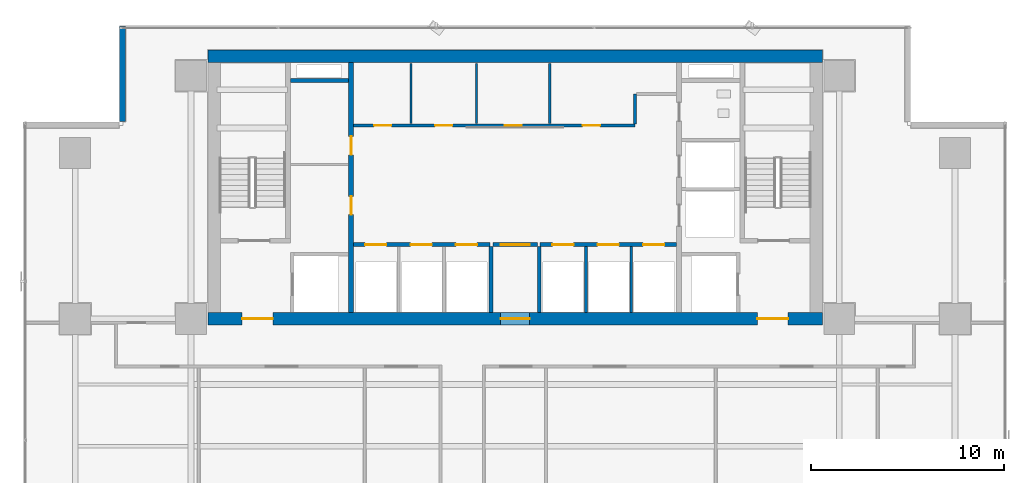
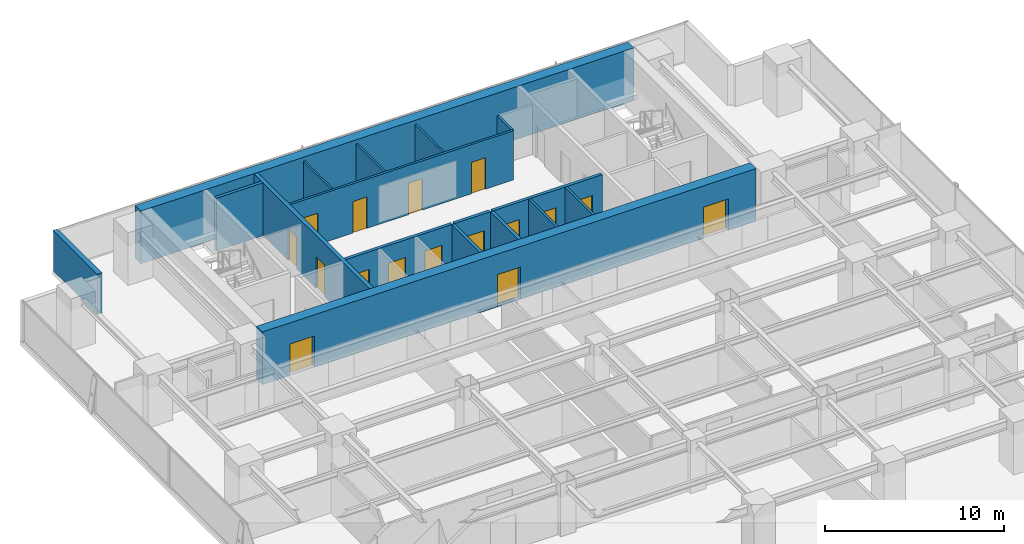
# One storey, part 29 of 36: 17 walls, 16 doors, 16 openings.
"""IFC4 building model written with IfcOpenShell, lengths in metres."""

from ifc_helpers import new_model, si_unit, direction, frame, frame_2d, origin, place, context, subcontext, project, spatial, rectangle, extrude, source, transform, mapped, material, layer, layer_set, type_object, element, fill, save


model = new_model("IFC4")

# Units and contexts
model_context = context("Model", 3, precision=1e-05, world=origin(), true_north=direction((0.0, 1.0)))
body_context = subcontext(model_context, "Body", "Model", "MODEL_VIEW")
ifc_project = project(units=[si_unit("LENGTHUNIT", "METRE"), si_unit("AREAUNIT", "SQUARE_METRE"), si_unit("VOLUMEUNIT", "CUBIC_METRE"), si_unit("PLANEANGLEUNIT", "RADIAN"), si_unit("MASSUNIT", "GRAM", prefix="KILO")], contexts=[model_context])

# Site, building, storey
site_placement = place(None, origin())
site = spatial("IfcSite", under=ifc_project, at=site_placement, CompositionType="ELEMENT")
building_placement = place(site_placement, origin())
building = spatial("IfcBuilding", under=site, at=building_placement, Name="Sumidabori Civic Tower", CompositionType="ELEMENT")
storey_placement = place(building_placement, frame((0.0, 0.0, 77.60009765625)))
storey = spatial("IfcBuildingStorey", under=building, at=storey_placement, Name="L19", CompositionType="ELEMENT", Elevation=77.60009765625)

# Walls
ifc_material_1 = material(Name="Concrete C50/60", Category="concrete")
ifc_layer_1 = layer(ifc_material_1, 0.199951171875, Name="Concrete C50/60")
ifc_layer_set_1 = layer_set([ifc_layer_1], Name="Concrete C50/60")
wall_type_1 = type_object("IfcWallType", Name="WL-SHAFT-200", PredefinedType="SHEAR", material=ifc_layer_set_1)
shared_shape_1 = source(origin(), body_context, "Body", "SweptSolid", [
    extrude(rectangle(XDim=3.02001953125, YDim=0.199951171875, at=frame_2d((1.510009765625, 0.0))), origin(), (0.0, 0.0, 1.0), 3.599853515625),
])
wall_1_placement = place(storey_placement, frame((-11.64501953125, 22.550048828125, 0.0), z_axis=(0.0, 0.0, 1.0), x_axis=(1.0, 0.0, 0.0)))
element("IfcWall", 1, at=wall_1_placement, inside=storey, type_object=wall_type_1, Name="Core Shear Wall L19 RIS1-S", PredefinedType="SHEAR", context=body_context, shape_type="MappedRepresentation", body=[
    mapped(shared_shape_1, transform((0.0, 0.0, 0.0), x_axis=(1.0, 0.0, 0.0), y_axis=(0.0, 1.0, 0.0), z_axis=(0.0, 0.0, 1.0), scale=1.0)),
])
ifc_material_2 = material(Name="Concrete C60/75", Category="concrete")
ifc_layer_2 = layer(ifc_material_2, 0.64990234375, Name="Concrete C60/75")
ifc_layer_set_2 = layer_set([ifc_layer_2], Name="Concrete C60/75")
wall_type_2 = type_object("IfcWallType", Name="WL-CORE-650", PredefinedType="SHEAR", material=ifc_layer_set_2)
shared_shape_2 = source(origin(), body_context, "Body", "SweptSolid", [
    extrude(rectangle(XDim=31.85009765625, YDim=0.64990234375, at=frame_2d((15.925048828125, 0.0))), origin(), (0.0, 0.0, 1.0), 3.599853515625),
])
wall_2_placement = place(storey_placement, frame((-15.925048828125, 23.800048828125, 0.0), z_axis=(0.0, 0.0, 1.0), x_axis=(1.0, 0.0, 0.0)))
element("IfcWall", 2, at=wall_2_placement, inside=storey, type_object=wall_type_2, Name="Core Shear Wall L19 N", PredefinedType="SHEAR", context=body_context, shape_type="MappedRepresentation", body=[
    mapped(shared_shape_2, transform((0.0, 0.0, 0.0), x_axis=(1.0, 0.0, 0.0), y_axis=(0.0, 1.0, 0.0), z_axis=(0.0, 0.0, 1.0), scale=1.0)),
])

# Wall, openings, doors
wall_3_placement = place(storey_placement, frame((-15.925048828125, 10.199951171875, 0.0), z_axis=(0.0, 0.0, 1.0), x_axis=(1.0, 0.0, 0.0)))
wall_3 = element("IfcWall", 3, at=wall_3_placement, inside=storey, type_object=wall_type_2, Name="Core Shear Wall L19 S", PredefinedType="SHEAR", context=body_context, shape_type="MappedRepresentation", body=[
    mapped(shared_shape_2, transform((0.0, 0.0, 0.0), x_axis=(1.0, 0.0, 0.0), y_axis=(0.0, 1.0, 0.0), z_axis=(0.0, 0.0, 1.0), scale=1.0)),
])
opening_1_placement = place(wall_3_placement, frame((1.77490234375, 0.0, 0.0)))
opening_1 = element("IfcOpeningElement", 4, at=opening_1_placement, cuts=wall_3, Name="Opening DR-FD4", PredefinedType="OPENING", context=body_context, shape_type="SweptSolid", body=[
    extrude(rectangle(XDim=1.60009765625, YDim=2.14990234375, at=frame_2d((0.800048828125, 1.074951171875))), frame((0.0, 0.3369140625, 0.0), z_axis=(0.0, -1.0, 0.0), x_axis=(1.0, 0.0, 0.0)), (0.0, 0.0, 1.0), 0.673828125),
])
opening_2_placement = place(wall_3_placement, frame((28.47509765625, 0.0, 0.0)))
opening_2 = element("IfcOpeningElement", 5, at=opening_2_placement, cuts=wall_3, Name="Opening DR-FD4", PredefinedType="OPENING", context=body_context, shape_type="SweptSolid", body=[
    extrude(rectangle(XDim=1.60009765625, YDim=2.14990234375, at=frame_2d((0.800048828125, 1.074951171875))), frame((0.0, 0.3369140625, 0.0), z_axis=(0.0, -1.0, 0.0), x_axis=(1.0, 0.0, 0.0)), (0.0, 0.0, 1.0), 0.673828125),
])
opening_3_placement = place(wall_3_placement, frame((15.175048828125, 0.0, 0.0)))
opening_3 = element("IfcOpeningElement", 6, at=opening_3_placement, cuts=wall_3, Name="Opening DR-FD3", PredefinedType="OPENING", context=body_context, shape_type="SweptSolid", body=[
    extrude(rectangle(XDim=1.5, YDim=2.199951171875, at=frame_2d((0.75, 1.10009765625))), frame((0.0, 0.3369140625, 0.0), z_axis=(0.0, -1.0, 0.0), x_axis=(1.0, 0.0, 0.0)), (0.0, 0.0, 1.0), 0.673828125),
])
ifc_material_3 = material(Name="Steel SN490", Category="steel")
door_type_1 = type_object("IfcDoorType", Name="DR-FD4", OperationType="DOUBLE_DOOR_SINGLE_SWING", PredefinedType="DOOR", material=ifc_material_3)
shared_shape_3 = source(origin(), body_context, "Body", "SweptSolid", [
    extrude(rectangle(XDim=1.60009765625, YDim=2.14990234375, at=frame_2d((0.800048828125, 1.074951171875))), frame((0.0, 0.02490234375, 0.0), z_axis=(0.0, -1.0, 0.0), x_axis=(1.0, 0.0, 0.0)), (0.0, 0.0, 1.0), 0.050048828125),
])
door_1_placement = place(opening_1_placement, origin())
door_1 = element("IfcDoor", 7, at=door_1_placement, inside=storey, type_object=door_type_1, Name="Door DR:L19:ELOB-W", OperationType="DOUBLE_DOOR_SINGLE_SWING", OverallHeight=2.14990234375, OverallWidth=1.60009765625, PredefinedType="DOOR", context=body_context, shape_type="MappedRepresentation", body=[
    mapped(shared_shape_3, transform((0.0, 0.0, 0.0), x_axis=(1.0, 0.0, 0.0), y_axis=(0.0, 1.0, 0.0), z_axis=(0.0, 0.0, 1.0), scale=1.0)),
])
fill(opening_1, door_1)
door_2_placement = place(opening_2_placement, origin())
door_2 = element("IfcDoor", 8, at=door_2_placement, inside=storey, type_object=door_type_1, Name="Door DR:L19:ELOB-E", OperationType="DOUBLE_DOOR_SINGLE_SWING", OverallHeight=2.14990234375, OverallWidth=1.60009765625, PredefinedType="DOOR", context=body_context, shape_type="MappedRepresentation", body=[
    mapped(shared_shape_3, transform((0.0, 0.0, 0.0), x_axis=(1.0, 0.0, 0.0), y_axis=(0.0, 1.0, 0.0), z_axis=(0.0, 0.0, 1.0), scale=1.0)),
])
fill(opening_2, door_2)
door_type_2 = type_object("IfcDoorType", Name="DR-FD-DBL", OperationType="DOUBLE_DOOR_SINGLE_SWING", PredefinedType="DOOR", material=ifc_material_3)
shared_shape_4 = source(origin(), body_context, "Body", "SweptSolid", [
    extrude(rectangle(XDim=1.5, YDim=2.199951171875, at=frame_2d((0.75, 1.10009765625))), frame((0.0, 0.02490234375, 0.0), z_axis=(0.0, -1.0, 0.0), x_axis=(1.0, 0.0, 0.0)), (0.0, 0.0, 1.0), 0.050048828125),
])
door_3_placement = place(opening_3_placement, origin())
door_3 = element("IfcDoor", 9, at=door_3_placement, inside=storey, type_object=door_type_2, Name="Door DR:L19:THROAT-OUT", OperationType="DOUBLE_DOOR_SINGLE_SWING", OverallHeight=2.199951171875, OverallWidth=1.5, PredefinedType="DOOR", context=body_context, shape_type="MappedRepresentation", body=[
    mapped(shared_shape_4, transform((0.0, 0.0, 0.0), x_axis=(1.0, 0.0, 0.0), y_axis=(0.0, 1.0, 0.0), z_axis=(0.0, 0.0, 1.0), scale=1.0)),
])
fill(opening_3, door_3)

ifc_layer_3 = layer(ifc_material_1, 0.25, Name="Concrete C50/60")
ifc_layer_set_3 = layer_set([ifc_layer_3], Name="Concrete C50/60")
wall_type_3 = type_object("IfcWallType", Name="WL-SHAFT-250", PredefinedType="SHEAR", material=ifc_layer_set_3)
shared_shape_5 = source(origin(), body_context, "Body", "SweptSolid", [
    extrude(rectangle(XDim=12.9501953125, YDim=0.25, at=frame_2d((6.47509765625, 0.0))), origin(), (0.0, 0.0, 1.0), 3.599853515625),
])
wall_4_placement = place(storey_placement, frame((-8.5, 10.52490234375, 0.0), z_axis=(0.0, 0.0, 1.0), x_axis=(0.0, 1.0, 0.0)))
wall_4 = element("IfcWall", 10, at=wall_4_placement, inside=storey, type_object=wall_type_3, Name="Core Shear Wall L19 WEB-W", PredefinedType="SHEAR", context=body_context, shape_type="MappedRepresentation", body=[
    mapped(shared_shape_5, transform((0.0, 0.0, 0.0), x_axis=(1.0, 0.0, 0.0), y_axis=(0.0, 1.0, 0.0), z_axis=(0.0, 0.0, 1.0), scale=1.0)),
])
opening_4_placement = place(wall_4_placement, frame((5.074951171875, 0.0, 0.0)))
opening_4 = element("IfcOpeningElement", 11, at=opening_4_placement, cuts=wall_4, Name="Opening DR-FD2", PredefinedType="OPENING", context=body_context, shape_type="SweptSolid", body=[
    extrude(rectangle(XDim=0.949951171875, YDim=2.14990234375, at=frame_2d((0.47509765625, 1.074951171875))), frame((0.0, 0.136962890625, 0.0), z_axis=(0.0, -1.0, 0.0), x_axis=(1.0, 0.0, 0.0)), (0.0, 0.0, 1.0), 0.27392578125),
])
opening_5_placement = place(wall_4_placement, frame((8.175048828125, 0.0, 0.0)))
opening_5 = element("IfcOpeningElement", 12, at=opening_5_placement, cuts=wall_4, Name="Opening DR-FD2", PredefinedType="OPENING", context=body_context, shape_type="SweptSolid", body=[
    extrude(rectangle(XDim=0.949951171875, YDim=2.14990234375, at=frame_2d((0.47509765625, 1.074951171875))), frame((0.0, 0.136962890625, 0.0), z_axis=(0.0, -1.0, 0.0), x_axis=(1.0, 0.0, 0.0)), (0.0, 0.0, 1.0), 0.27392578125),
])
door_type_3 = type_object("IfcDoorType", Name="DR-FD2", OperationType="NOTDEFINED", PredefinedType="DOOR", material=ifc_material_3)
shared_shape_6 = source(origin(), body_context, "Body", "SweptSolid", [
    extrude(rectangle(XDim=0.949951171875, YDim=2.14990234375, at=frame_2d((0.47509765625, 1.074951171875))), frame((0.0, 0.02490234375, 0.0), z_axis=(0.0, -1.0, 0.0), x_axis=(1.0, 0.0, 0.0)), (0.0, 0.0, 1.0), 0.050048828125),
])
door_4_placement = place(opening_4_placement, origin())
door_4 = element("IfcDoor", 13, at=door_4_placement, inside=storey, type_object=door_type_3, Name="Door DR:L19:CW-S1", OperationType="SINGLE_SWING_LEFT", OverallHeight=2.14990234375, OverallWidth=0.949951171875, PredefinedType="DOOR", context=body_context, shape_type="MappedRepresentation", body=[
    mapped(shared_shape_6, transform((0.0, 0.0, 0.0), x_axis=(1.0, 0.0, 0.0), y_axis=(0.0, 1.0, 0.0), z_axis=(0.0, 0.0, 1.0), scale=1.0)),
])
fill(opening_4, door_4)
door_5_placement = place(opening_5_placement, origin())
door_5 = element("IfcDoor", 14, at=door_5_placement, inside=storey, type_object=door_type_3, Name="Door DR:L19:CW-S2", OperationType="SINGLE_SWING_RIGHT", OverallHeight=2.14990234375, OverallWidth=0.949951171875, PredefinedType="DOOR", context=body_context, shape_type="MappedRepresentation", body=[
    mapped(shared_shape_6, transform((0.0, 0.0, 0.0), x_axis=(1.0, 0.0, 0.0), y_axis=(0.0, 1.0, 0.0), z_axis=(0.0, 0.0, 1.0), scale=1.0)),
])
fill(opening_5, door_5)

# Wall
ifc_material_4 = material(Name="Precast concrete C40/50", Category="concrete")
ifc_layer_4 = layer(ifc_material_4, 0.300048828125, Name="Precast concrete C40/50")
ifc_layer_set_4 = layer_set([ifc_layer_4], Name="Precast concrete C40/50")
wall_type_4 = type_object("IfcWallType", Name="WL-EXT-POD300", PredefinedType="STANDARD", material=ifc_layer_set_4)
shared_shape_7 = source(origin(), body_context, "Body", "SweptSolid", [
    extrude(rectangle(XDim=4.9599609375, YDim=0.300048828125, at=frame_2d((2.47998046875, 0.0))), origin(), (0.0, 0.0, 1.0), 2.739990234375),
])
wall_5_placement = place(storey_placement, frame((-20.35009765625, 25.3798828125, 0.0), z_axis=(0.0, 0.0, 1.0), x_axis=(0.0, -1.0, 0.0)))
element("IfcWall", 15, at=wall_5_placement, inside=storey, type_object=wall_type_4, Name="Notched Corner Spandrel Band L19-08", PredefinedType="STANDARD", context=body_context, shape_type="MappedRepresentation", body=[
    mapped(shared_shape_7, transform((0.0, 0.0, 0.0), x_axis=(1.0, 0.0, 0.0), y_axis=(0.0, 1.0, 0.0), z_axis=(0.0, 0.0, 1.0), scale=1.0)),
])

# Wall, openings, doors
ifc_material_5 = material(Name="Gypsum Plasterboard Fire Partition")
ifc_layer_5 = layer(ifc_material_5, 0.199951171875, Name="Gypsum Plasterboard Fire Partition")
ifc_layer_set_5 = layer_set([ifc_layer_5], Name="Gypsum Plasterboard Fire Partition")
wall_type_5 = type_object("IfcWallType", Name="WL-PART-FIRE", PredefinedType="PARTITIONING", material=ifc_layer_set_5)
shared_shape_8 = source(origin(), body_context, "Body", "SweptSolid", [
    extrude(rectangle(XDim=7.070068359375, YDim=0.199951171875, at=frame_2d((3.53515625, 0.0))), origin(), (0.0, 0.0, 1.0), 3.35986328125),
])
wall_6_placement = place(storey_placement, frame((-8.3701171875, 14.050048828125, 0.0), z_axis=(0.0, 0.0, 1.0), x_axis=(1.0, 0.0, 0.0)))
wall_6 = element("IfcWall", 16, at=wall_6_placement, inside=storey, type_object=wall_type_5, Name="Interior Partition WL:L19:CBAND-SW", PredefinedType="PARTITIONING", context=body_context, shape_type="MappedRepresentation", body=[
    mapped(shared_shape_8, transform((0.0, 0.0, 0.0), x_axis=(1.0, 0.0, 0.0), y_axis=(0.0, 1.0, 0.0), z_axis=(0.0, 0.0, 1.0), scale=1.0)),
])
opening_6_placement = place(wall_6_placement, frame((0.60009765625, 0.0, 0.0)))
opening_6 = element("IfcOpeningElement", 17, at=opening_6_placement, cuts=wall_6, Name="Opening LD-1", PredefinedType="OPENING", context=body_context, shape_type="SweptSolid", body=[
    extrude(rectangle(XDim=1.10009765625, YDim=2.14990234375, at=frame_2d((0.550048828125, 1.074951171875))), frame((0.0, 0.11181640625, 0.0), z_axis=(0.0, -1.0, 0.0), x_axis=(1.0, 0.0, 0.0)), (0.0, 0.0, 1.0), 0.223876953125),
])
opening_7_placement = place(wall_6_placement, frame((2.949951171875, 0.0, 0.0)))
opening_7 = element("IfcOpeningElement", 18, at=opening_7_placement, cuts=wall_6, Name="Opening LD-1", PredefinedType="OPENING", context=body_context, shape_type="SweptSolid", body=[
    extrude(rectangle(XDim=1.10009765625, YDim=2.14990234375, at=frame_2d((0.550048828125, 1.074951171875))), frame((0.0, 0.11181640625, 0.0), z_axis=(0.0, -1.0, 0.0), x_axis=(1.0, 0.0, 0.0)), (0.0, 0.0, 1.0), 0.223876953125),
])
opening_8_placement = place(wall_6_placement, frame((5.300048828125, 0.0, 0.0)))
opening_8 = element("IfcOpeningElement", 19, at=opening_8_placement, cuts=wall_6, Name="Opening LD-1", PredefinedType="OPENING", context=body_context, shape_type="SweptSolid", body=[
    extrude(rectangle(XDim=1.10009765625, YDim=2.14990234375, at=frame_2d((0.550048828125, 1.074951171875))), frame((0.0, 0.11181640625, 0.0), z_axis=(0.0, -1.0, 0.0), x_axis=(1.0, 0.0, 0.0)), (0.0, 0.0, 1.0), 0.223876953125),
])
ifc_material_6 = material(Name="Stainless Steel Hairline Finish", Category="steel")
door_type_4 = type_object("IfcDoorType", Name="DR-LD1", OperationType="DOUBLE_DOOR_SLIDING", PredefinedType="DOOR", material=ifc_material_6)
shared_shape_9 = source(origin(), body_context, "Body", "SweptSolid", [
    extrude(rectangle(XDim=1.10009765625, YDim=2.14990234375, at=frame_2d((0.550048828125, 1.074951171875))), frame((0.0, 0.02490234375, 0.0), z_axis=(0.0, -1.0, 0.0), x_axis=(1.0, 0.0, 0.0)), (0.0, 0.0, 1.0), 0.050048828125),
])
door_6_placement = place(opening_6_placement, origin())
door_6 = element("IfcDoor", 20, at=door_6_placement, inside=storey, type_object=door_type_4, Name="Door DR:L19:LD-PLL1", OperationType="DOUBLE_DOOR_SLIDING", OverallHeight=2.14990234375, OverallWidth=1.10009765625, PredefinedType="DOOR", context=body_context, shape_type="MappedRepresentation", body=[
    mapped(shared_shape_9, transform((0.0, 0.0, 0.0), x_axis=(1.0, 0.0, 0.0), y_axis=(0.0, 1.0, 0.0), z_axis=(0.0, 0.0, 1.0), scale=1.0)),
])
fill(opening_6, door_6)
door_7_placement = place(opening_7_placement, origin())
door_7 = element("IfcDoor", 21, at=door_7_placement, inside=storey, type_object=door_type_4, Name="Door DR:L19:LD-PLL2", OperationType="DOUBLE_DOOR_SLIDING", OverallHeight=2.14990234375, OverallWidth=1.10009765625, PredefinedType="DOOR", context=body_context, shape_type="MappedRepresentation", body=[
    mapped(shared_shape_9, transform((0.0, 0.0, 0.0), x_axis=(1.0, 0.0, 0.0), y_axis=(0.0, 1.0, 0.0), z_axis=(0.0, 0.0, 1.0), scale=1.0)),
])
fill(opening_7, door_7)
door_8_placement = place(opening_8_placement, origin())
door_8 = element("IfcDoor", 22, at=door_8_placement, inside=storey, type_object=door_type_4, Name="Door DR:L19:LD-PLL3", OperationType="DOUBLE_DOOR_SLIDING", OverallHeight=2.14990234375, OverallWidth=1.10009765625, PredefinedType="DOOR", context=body_context, shape_type="MappedRepresentation", body=[
    mapped(shared_shape_9, transform((0.0, 0.0, 0.0), x_axis=(1.0, 0.0, 0.0), y_axis=(0.0, 1.0, 0.0), z_axis=(0.0, 0.0, 1.0), scale=1.0)),
])
fill(opening_8, door_8)

wall_7_placement = place(storey_placement, frame((1.300048828125, 14.050048828125, 0.0), z_axis=(0.0, 0.0, 1.0), x_axis=(1.0, 0.0, 0.0)))
wall_7 = element("IfcWall", 23, at=wall_7_placement, inside=storey, type_object=wall_type_5, Name="Interior Partition WL:L19:CBAND-SE", PredefinedType="PARTITIONING", context=body_context, shape_type="MappedRepresentation", body=[
    mapped(shared_shape_8, transform((0.0, 0.0, 0.0), x_axis=(1.0, 0.0, 0.0), y_axis=(0.0, 1.0, 0.0), z_axis=(0.0, 0.0, 1.0), scale=1.0)),
])
opening_9_placement = place(wall_7_placement, frame((0.6298828125, 0.0, 0.0)))
opening_9 = element("IfcOpeningElement", 24, at=opening_9_placement, cuts=wall_7, Name="Opening LD-1", PredefinedType="OPENING", context=body_context, shape_type="SweptSolid", body=[
    extrude(rectangle(XDim=1.10009765625, YDim=2.14990234375, at=frame_2d((0.550048828125, 1.074951171875))), frame((0.0, 0.11181640625, 0.0), z_axis=(0.0, -1.0, 0.0), x_axis=(1.0, 0.0, 0.0)), (0.0, 0.0, 1.0), 0.223876953125),
])
opening_10_placement = place(wall_7_placement, frame((2.97998046875, 0.0, 0.0)))
opening_10 = element("IfcOpeningElement", 25, at=opening_10_placement, cuts=wall_7, Name="Opening LD-1", PredefinedType="OPENING", context=body_context, shape_type="SweptSolid", body=[
    extrude(rectangle(XDim=1.10009765625, YDim=2.14990234375, at=frame_2d((0.550048828125, 1.074951171875))), frame((0.0, 0.11181640625, 0.0), z_axis=(0.0, -1.0, 0.0), x_axis=(1.0, 0.0, 0.0)), (0.0, 0.0, 1.0), 0.223876953125),
])
opening_11_placement = place(wall_7_placement, frame((5.330078125, 0.0, 0.0)))
opening_11 = element("IfcOpeningElement", 26, at=opening_11_placement, cuts=wall_7, Name="Opening LD-1", PredefinedType="OPENING", context=body_context, shape_type="SweptSolid", body=[
    extrude(rectangle(XDim=1.10009765625, YDim=2.14990234375, at=frame_2d((0.550048828125, 1.074951171875))), frame((0.0, 0.11181640625, 0.0), z_axis=(0.0, -1.0, 0.0), x_axis=(1.0, 0.0, 0.0)), (0.0, 0.0, 1.0), 0.223876953125),
])
door_9_placement = place(opening_9_placement, origin())
door_9 = element("IfcDoor", 27, at=door_9_placement, inside=storey, type_object=door_type_4, Name="Door DR:L19:LD-PLM1", OperationType="DOUBLE_DOOR_SLIDING", OverallHeight=2.14990234375, OverallWidth=1.10009765625, PredefinedType="DOOR", context=body_context, shape_type="MappedRepresentation", body=[
    mapped(shared_shape_9, transform((0.0, 0.0, 0.0), x_axis=(1.0, 0.0, 0.0), y_axis=(0.0, 1.0, 0.0), z_axis=(0.0, 0.0, 1.0), scale=1.0)),
])
fill(opening_9, door_9)
door_10_placement = place(opening_10_placement, origin())
door_10 = element("IfcDoor", 28, at=door_10_placement, inside=storey, type_object=door_type_4, Name="Door DR:L19:LD-PLM2", OperationType="DOUBLE_DOOR_SLIDING", OverallHeight=2.14990234375, OverallWidth=1.10009765625, PredefinedType="DOOR", context=body_context, shape_type="MappedRepresentation", body=[
    mapped(shared_shape_9, transform((0.0, 0.0, 0.0), x_axis=(1.0, 0.0, 0.0), y_axis=(0.0, 1.0, 0.0), z_axis=(0.0, 0.0, 1.0), scale=1.0)),
])
fill(opening_10, door_10)
door_11_placement = place(opening_11_placement, origin())
door_11 = element("IfcDoor", 29, at=door_11_placement, inside=storey, type_object=door_type_4, Name="Door DR:L19:LD-PLM3", OperationType="DOUBLE_DOOR_SLIDING", OverallHeight=2.14990234375, OverallWidth=1.10009765625, PredefinedType="DOOR", context=body_context, shape_type="MappedRepresentation", body=[
    mapped(shared_shape_9, transform((0.0, 0.0, 0.0), x_axis=(1.0, 0.0, 0.0), y_axis=(0.0, 1.0, 0.0), z_axis=(0.0, 0.0, 1.0), scale=1.0)),
])
fill(opening_11, door_11)

# Wall, opening, door
shared_shape_10 = source(origin(), body_context, "Body", "SweptSolid", [
    extrude(rectangle(XDim=2.2998046875, YDim=0.199951171875, at=frame_2d((1.14990234375, 0.0))), origin(), (0.0, 0.0, 1.0), 3.35986328125),
])
wall_8_placement = place(storey_placement, frame((-1.14990234375, 14.050048828125, 0.0), z_axis=(0.0, 0.0, 1.0), x_axis=(1.0, 0.0, 0.0)))
wall_8 = element("IfcWall", 30, at=wall_8_placement, inside=storey, type_object=wall_type_5, Name="Interior Partition WL:L19:THROAT-N", PredefinedType="PARTITIONING", context=body_context, shape_type="MappedRepresentation", body=[
    mapped(shared_shape_10, transform((0.0, 0.0, 0.0), x_axis=(1.0, 0.0, 0.0), y_axis=(0.0, 1.0, 0.0), z_axis=(0.0, 0.0, 1.0), scale=1.0)),
])
opening_12_placement = place(wall_8_placement, frame((0.39990234375, 0.0, 0.0)))
opening_12 = element("IfcOpeningElement", 31, at=opening_12_placement, cuts=wall_8, Name="Opening DR-FD3", PredefinedType="OPENING", context=body_context, shape_type="SweptSolid", body=[
    extrude(rectangle(XDim=1.5, YDim=2.199951171875, at=frame_2d((0.75, 1.10009765625))), frame((0.0, 0.11181640625, 0.0), z_axis=(0.0, -1.0, 0.0), x_axis=(1.0, 0.0, 0.0)), (0.0, 0.0, 1.0), 0.223876953125),
])
door_12_placement = place(opening_12_placement, origin())
door_12 = element("IfcDoor", 32, at=door_12_placement, inside=storey, type_object=door_type_2, Name="Door DR:L19:THROAT-IN", OperationType="DOUBLE_DOOR_SINGLE_SWING", OverallHeight=2.199951171875, OverallWidth=1.5, PredefinedType="DOOR", context=body_context, shape_type="MappedRepresentation", body=[
    mapped(shared_shape_4, transform((0.0, 0.0, 0.0), x_axis=(1.0, 0.0, 0.0), y_axis=(0.0, 1.0, 0.0), z_axis=(0.0, 0.0, 1.0), scale=1.0)),
])
fill(opening_12, door_12)

# Wall, openings, doors
ifc_material_7 = material(Name="Gypsum Plasterboard Acoustic Partition")
ifc_layer_6 = layer(ifc_material_7, 0.14990234375, Name="Gypsum Plasterboard Acoustic Partition")
ifc_layer_set_6 = layer_set([ifc_layer_6], Name="Gypsum Plasterboard Acoustic Partition")
wall_type_6 = type_object("IfcWallType", Name="WL-PART-150", PredefinedType="PARTITIONING", material=ifc_layer_set_6)
shared_shape_11 = source(origin(), body_context, "Body", "SweptSolid", [
    extrude(rectangle(XDim=14.590087890625, YDim=0.14990234375, at=frame_2d((7.294921875, 0.0))), origin(), (0.0, 0.0, 1.0), 3.35986328125),
])
wall_9_placement = place(storey_placement, frame((-8.3701171875, 20.219970703125, 0.0), z_axis=(0.0, 0.0, 1.0), x_axis=(1.0, 0.0, 0.0)))
wall_9 = element("IfcWall", 33, at=wall_9_placement, inside=storey, type_object=wall_type_6, Name="Interior Partition WL:L19:CBAND-M", PredefinedType="PARTITIONING", context=body_context, shape_type="MappedRepresentation", body=[
    mapped(shared_shape_11, transform((0.0, 0.0, 0.0), x_axis=(1.0, 0.0, 0.0), y_axis=(0.0, 1.0, 0.0), z_axis=(0.0, 0.0, 1.0), scale=1.0)),
])
opening_13_placement = place(wall_9_placement, frame((1.06005859375, 0.0, 0.0)))
opening_13 = element("IfcOpeningElement", 34, at=opening_13_placement, cuts=wall_9, Name="Opening DR-1", PredefinedType="OPENING", context=body_context, shape_type="SweptSolid", body=[
    extrude(rectangle(XDim=0.89990234375, YDim=2.14990234375, at=frame_2d((0.449951171875, 1.074951171875))), frame((0.0, 0.0869140625, 0.0), z_axis=(0.0, -1.0, 0.0), x_axis=(1.0, 0.0, 0.0)), (0.0, 0.0, 1.0), 0.173828125),
])
opening_14_placement = place(wall_9_placement, frame((4.219970703125, 0.0, 0.0)))
opening_14 = element("IfcOpeningElement", 35, at=opening_14_placement, cuts=wall_9, Name="Opening DR-1", PredefinedType="OPENING", context=body_context, shape_type="SweptSolid", body=[
    extrude(rectangle(XDim=0.89990234375, YDim=2.14990234375, at=frame_2d((0.449951171875, 1.074951171875))), frame((0.0, 0.0869140625, 0.0), z_axis=(0.0, -1.0, 0.0), x_axis=(1.0, 0.0, 0.0)), (0.0, 0.0, 1.0), 0.173828125),
])
opening_15_placement = place(wall_9_placement, frame((7.820068359375, 0.0, 0.0)))
opening_15 = element("IfcOpeningElement", 36, at=opening_15_placement, cuts=wall_9, Name="Opening DR-1", PredefinedType="OPENING", context=body_context, shape_type="SweptSolid", body=[
    extrude(rectangle(XDim=0.89990234375, YDim=2.14990234375, at=frame_2d((0.449951171875, 1.074951171875))), frame((0.0, 0.0869140625, 0.0), z_axis=(0.0, -1.0, 0.0), x_axis=(1.0, 0.0, 0.0)), (0.0, 0.0, 1.0), 0.173828125),
])
opening_16_placement = place(wall_9_placement, frame((11.8701171875, 0.0, 0.0)))
opening_16 = element("IfcOpeningElement", 37, at=opening_16_placement, cuts=wall_9, Name="Opening DR-1", PredefinedType="OPENING", context=body_context, shape_type="SweptSolid", body=[
    extrude(rectangle(XDim=0.89990234375, YDim=2.14990234375, at=frame_2d((0.449951171875, 1.074951171875))), frame((0.0, 0.0869140625, 0.0), z_axis=(0.0, -1.0, 0.0), x_axis=(1.0, 0.0, 0.0)), (0.0, 0.0, 1.0), 0.173828125),
])
ifc_material_8 = material(Name="Japanese Hinoki Timber", Category="wood")
door_type_5 = type_object("IfcDoorType", Name="DR-INT-900", OperationType="NOTDEFINED", PredefinedType="DOOR", material=ifc_material_8)
shared_shape_12 = source(origin(), body_context, "Body", "SweptSolid", [
    extrude(rectangle(XDim=0.89990234375, YDim=2.14990234375, at=frame_2d((0.449951171875, 1.074951171875))), frame((0.0, 0.02490234375, 0.0), z_axis=(0.0, -1.0, 0.0), x_axis=(1.0, 0.0, 0.0)), (0.0, 0.0, 1.0), 0.050048828125),
])
door_13_placement = place(opening_13_placement, origin())
door_13 = element("IfcDoor", 38, at=door_13_placement, inside=storey, type_object=door_type_5, Name="Door DR:L19:CB-1", OperationType="SINGLE_SWING_LEFT", OverallHeight=2.14990234375, OverallWidth=0.89990234375, PredefinedType="DOOR", context=body_context, shape_type="MappedRepresentation", body=[
    mapped(shared_shape_12, transform((0.0, 0.0, 0.0), x_axis=(1.0, 0.0, 0.0), y_axis=(0.0, 1.0, 0.0), z_axis=(0.0, 0.0, 1.0), scale=1.0)),
])
fill(opening_13, door_13)
door_14_placement = place(opening_14_placement, origin())
door_14 = element("IfcDoor", 39, at=door_14_placement, inside=storey, type_object=door_type_5, Name="Door DR:L19:CB-2", OperationType="SINGLE_SWING_RIGHT", OverallHeight=2.14990234375, OverallWidth=0.89990234375, PredefinedType="DOOR", context=body_context, shape_type="MappedRepresentation", body=[
    mapped(shared_shape_12, transform((0.0, 0.0, 0.0), x_axis=(1.0, 0.0, 0.0), y_axis=(0.0, 1.0, 0.0), z_axis=(0.0, 0.0, 1.0), scale=1.0)),
])
fill(opening_14, door_14)
door_15_placement = place(opening_15_placement, origin())
door_15 = element("IfcDoor", 40, at=door_15_placement, inside=storey, type_object=door_type_5, Name="Door DR:L19:CB-3", OperationType="SINGLE_SWING_LEFT", OverallHeight=2.14990234375, OverallWidth=0.89990234375, PredefinedType="DOOR", context=body_context, shape_type="MappedRepresentation", body=[
    mapped(shared_shape_12, transform((0.0, 0.0, 0.0), x_axis=(1.0, 0.0, 0.0), y_axis=(0.0, 1.0, 0.0), z_axis=(0.0, 0.0, 1.0), scale=1.0)),
])
fill(opening_15, door_15)
door_16_placement = place(opening_16_placement, origin())
door_16 = element("IfcDoor", 41, at=door_16_placement, inside=storey, type_object=door_type_5, Name="Door DR:L19:CB-4", OperationType="SINGLE_SWING_RIGHT", OverallHeight=2.14990234375, OverallWidth=0.89990234375, PredefinedType="DOOR", context=body_context, shape_type="MappedRepresentation", body=[
    mapped(shared_shape_12, transform((0.0, 0.0, 0.0), x_axis=(1.0, 0.0, 0.0), y_axis=(0.0, 1.0, 0.0), z_axis=(0.0, 0.0, 1.0), scale=1.0)),
])
fill(opening_16, door_16)

# Walls
shared_shape_13 = source(origin(), body_context, "Body", "SweptSolid", [
    extrude(rectangle(XDim=1.550048828125, YDim=0.14990234375, at=frame_2d((0.77490234375, 0.0))), origin(), (0.0, 0.0, 1.0), 3.35986328125),
])
wall_10_placement = place(storey_placement, frame((6.219970703125, 20.300048828125, 0.0), z_axis=(0.0, 0.0, 1.0), x_axis=(0.0, 1.0, 0.0)))
element("IfcWall", 42, at=wall_10_placement, inside=storey, type_object=wall_type_6, Name="Interior Partition WL:L19:CBAND-ME1", PredefinedType="PARTITIONING", context=body_context, shape_type="MappedRepresentation", body=[
    mapped(shared_shape_13, transform((0.0, 0.0, 0.0), x_axis=(1.0, 0.0, 0.0), y_axis=(0.0, 1.0, 0.0), z_axis=(0.0, 0.0, 1.0), scale=1.0)),
])
shared_shape_14 = source(origin(), body_context, "Body", "SweptSolid", [
    extrude(rectangle(XDim=3.4150390625, YDim=0.199951171875, at=frame_2d((1.70751953125, 0.0))), origin(), (0.0, 0.0, 1.0), 3.35986328125),
])
for number, where, z_axis, x_axis, name in (
    (43, (-1.25, 10.52490234375, 0.0), (0.0, 0.0, 1.0), (0.0, 1.0, 0.0), "Interior Partition WL:L19:THROAT-W"),
    (44, (1.25, 10.52490234375, 0.0), (0.0, 0.0, 1.0), (0.0, 1.0, 0.0), "Interior Partition WL:L19:THROAT-E"),
):
    element("IfcWall", number, at=place(storey_placement, frame(where, z_axis=z_axis, x_axis=x_axis)), inside=storey, type_object=wall_type_5, Name=name, PredefinedType="PARTITIONING", context=body_context, shape_type="MappedRepresentation", body=[
        mapped(shared_shape_14, transform((0.0, 0.0, 0.0), x_axis=(1.0, 0.0, 0.0), y_axis=(0.0, 1.0, 0.0), z_axis=(0.0, 0.0, 1.0), scale=1.0)),
    ])
shared_shape_15 = source(origin(), body_context, "Body", "SweptSolid", [
    extrude(rectangle(XDim=3.4150390625, YDim=0.14990234375, at=frame_2d((1.70751953125, 0.0))), origin(), (0.0, 0.0, 1.0), 3.35986328125),
])
for number, where, z_axis, x_axis, name in (
    (45, (3.669921875, 10.52490234375, 0.0), (0.0, 0.0, 1.0), (0.0, 1.0, 0.0), "Interior Partition WL:L19:DIV-PLM1"),
    (46, (6.02001953125, 10.52490234375, 0.0), (0.0, 0.0, 1.0), (0.0, 1.0, 0.0), "Interior Partition WL:L19:DIV-PLM2"),
):
    element("IfcWall", number, at=place(storey_placement, frame(where, z_axis=z_axis, x_axis=x_axis)), inside=storey, type_object=wall_type_6, Name=name, PredefinedType="PARTITIONING", context=body_context, shape_type="MappedRepresentation", body=[
        mapped(shared_shape_15, transform((0.0, 0.0, 0.0), x_axis=(1.0, 0.0, 0.0), y_axis=(0.0, 1.0, 0.0), z_axis=(0.0, 0.0, 1.0), scale=1.0)),
    ])
ifc_layer_7 = layer(ifc_material_7, 0.1201171875, Name="Gypsum Plasterboard Acoustic Partition")
ifc_layer_set_7 = layer_set([ifc_layer_7], Name="Gypsum Plasterboard Acoustic Partition")
wall_type_7 = type_object("IfcWallType", Name="WL-PART-120", PredefinedType="PARTITIONING", material=ifc_layer_set_7)
shared_shape_16 = source(origin(), body_context, "Body", "SweptSolid", [
    extrude(rectangle(XDim=3.114990234375, YDim=0.1201171875, at=frame_2d((1.5576171875, 0.0))), origin(), (0.0, 0.0, 1.0), 3.35986328125),
])
for number, where, z_axis, x_axis, name in (
    (47, (-5.39990234375, 20.320068359375, 0.0), (0.0, 0.0, 1.0), (0.0, 1.0, 0.0), "Interior Partition WL:L19:LV8-S1"),
    (48, (-2.0, 20.320068359375, 0.0), (0.0, 0.0, 1.0), (0.0, 1.0, 0.0), "Interior Partition WL:L19:LV8-S2"),
    (49, (1.800048828125, 20.320068359375, 0.0), (0.0, 0.0, 1.0), (0.0, 1.0, 0.0), "Interior Partition WL:L19:LV8-S3"),
):
    element("IfcWall", number, at=place(storey_placement, frame(where, z_axis=z_axis, x_axis=x_axis)), inside=storey, type_object=wall_type_7, Name=name, PredefinedType="PARTITIONING", context=body_context, shape_type="MappedRepresentation", body=[
        mapped(shared_shape_16, transform((0.0, 0.0, 0.0), x_axis=(1.0, 0.0, 0.0), y_axis=(0.0, 1.0, 0.0), z_axis=(0.0, 0.0, 1.0), scale=1.0)),
    ])

save(model, "model.ifc")
